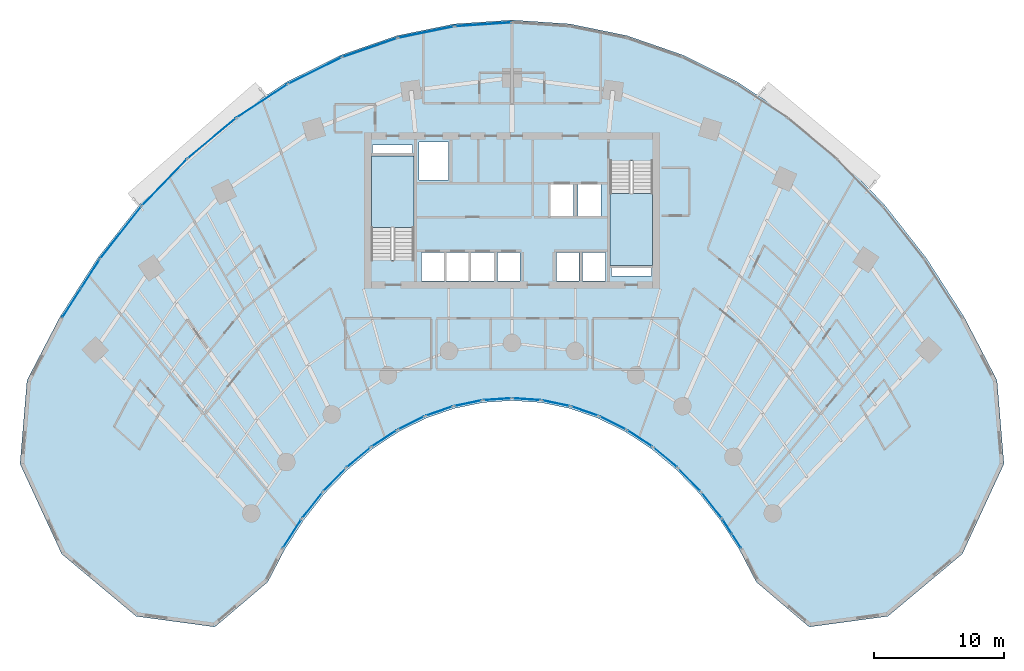
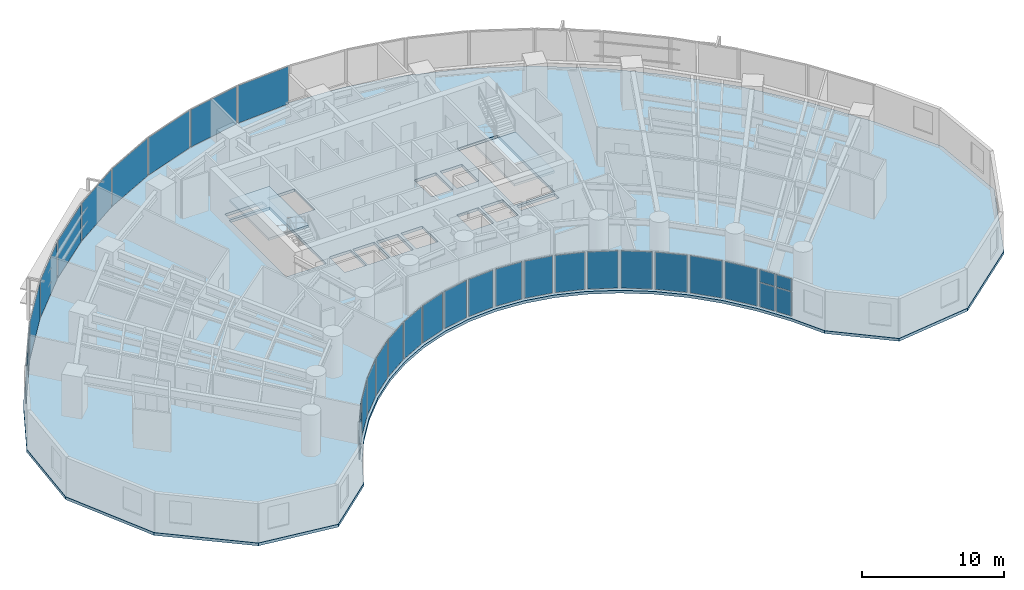
# One storey, part 9 of 17: 33 plates, 3 slabs, 29 elements without a shape of their own.
"""IFC4 building model written with IfcOpenShell, lengths in metres."""

from ifc_helpers import new_model, si_unit, direction, frame, origin, origin_2d, place, context, subcontext, project, spatial, polyline, rectangle, outline, extrude, source, transform, mapped, material, layer, layer_set, type_object, type_shapes, element, aggregate, save


model = new_model("IFC4")

# Units and contexts
model_context = context("Model", 3, precision=1e-05, world=origin(), true_north=direction((0.0, 1.0)))
body_context = subcontext(model_context, "Body", "Model", "MODEL_VIEW")
ifc_project = project(units=[si_unit("LENGTHUNIT", "METRE"), si_unit("AREAUNIT", "SQUARE_METRE"), si_unit("VOLUMEUNIT", "CUBIC_METRE"), si_unit("PLANEANGLEUNIT", "RADIAN"), si_unit("MASSUNIT", "GRAM", prefix="KILO")], contexts=[model_context])

# Site, building, storey
site_placement = place(None, origin())
site = spatial("IfcSite", under=ifc_project, at=site_placement, CompositionType="ELEMENT")
building_placement = place(site_placement, origin())
building = spatial("IfcBuilding", under=site, at=building_placement, Name="Breltana Convention Tower", CompositionType="ELEMENT")
storey_placement = place(building_placement, frame((0.0, 0.0, 53.39990234375)))
storey = spatial("IfcBuildingStorey", under=building, at=storey_placement, Name="L11", CompositionType="ELEMENT", Elevation=53.39990234375)

# Slab
ifc_material_1 = material(Name="Concrete C40/50", Category="concrete")
ifc_layer_1 = layer(ifc_material_1, 0.239990234375, Name="Concrete C40/50")
ifc_layer_set_1 = layer_set([ifc_layer_1], Name="Concrete C40/50")
slab_type_1 = type_object("IfcSlabType", Name="SL-HTL-240", PredefinedType="FLOOR", material=ifc_layer_set_1)
slab_1_placement = place(storey_placement, frame((0.0, 0.0, -0.239990234375)))
element("IfcSlab", 1, at=slab_1_placement, inside=storey, type_object=slab_type_1, Name="L11 Suspended Structural Floor Slab", PredefinedType="FLOOR", context=body_context, shape_type="SweptSolid", body=[
    extrude(outline(polyline([(85.229248046875, 53.173095703125), (82.687744140625, 58.054931640625), (79.791015625, 62.567626953125), (76.569091796875, 66.664794921875), (73.05419921875, 70.304931640625), (69.283203125, 73.450439453125), (65.2939453125, 76.069091796875), (61.1279296875, 78.134033203125), (56.827392578125, 79.62451171875), (52.436279296875, 80.52490234375), (48.0, 80.825927734375), (43.563720703125, 80.52490234375), (39.172607421875, 79.62451171875), (34.8720703125, 78.134033203125), (30.7060546875, 76.069091796875), (26.716796875, 73.450439453125), (22.94580078125, 70.304931640625), (19.430908203125, 66.664794921875), (16.208984375, 62.567626953125), (13.312255859375, 58.054931640625), (10.770751953125, 53.173095703125), (10.234619140625, 46.75927734375), (13.433837890625, 39.8388671875), (19.14697265625, 35.055419921875), (25.191162109375, 34.235595703125), (29.258056640625, 37.693115234375), (30.53759765625, 40.150634765625), (31.995849609375, 42.42236328125), (33.617919921875, 44.485107421875), (35.38720703125, 46.3173828125), (37.28564453125, 47.90087890625), (39.2939453125, 49.21923828125), (41.39111328125, 50.2587890625), (43.55615234375, 51.009033203125), (45.7666015625, 51.46240234375), (48.0, 51.614013671875), (50.2333984375, 51.46240234375), (52.44384765625, 51.009033203125), (54.60888671875, 50.2587890625), (56.7060546875, 49.21923828125), (58.71435546875, 47.90087890625), (60.61279296875, 46.3173828125), (62.382080078125, 44.485107421875), (64.004150390625, 42.42236328125), (65.46240234375, 40.150634765625), (66.741943359375, 37.693115234375), (70.808837890625, 34.235595703125), (76.85302734375, 35.055419921875), (82.566162109375, 39.8388671875), (85.765380859375, 46.75927734375), (85.229248046875, 53.173095703125)]), holes=[polyline([(37.199951171875, 62.385009765625), (40.469970703125, 62.385009765625), (40.469970703125, 70.39990234375), (37.199951171875, 70.39990234375), (37.199951171875, 62.385009765625)]), polyline([(55.530029296875, 62.0), (58.800048828125, 62.0), (58.800048828125, 70.014892578125), (55.530029296875, 70.014892578125), (55.530029296875, 62.0)]), polyline([(41.0400390625, 60.800048828125), (42.800048828125, 60.800048828125), (42.800048828125, 62.97998046875), (41.0400390625, 62.97998046875), (41.0400390625, 60.800048828125)]), polyline([(42.93994140625, 60.800048828125), (44.699951171875, 60.800048828125), (44.699951171875, 62.97998046875), (42.93994140625, 62.97998046875), (42.93994140625, 60.800048828125)]), polyline([(44.8701171875, 60.800048828125), (46.6298828125, 60.800048828125), (46.6298828125, 62.97998046875), (44.8701171875, 62.97998046875), (44.8701171875, 60.800048828125)]), polyline([(46.8701171875, 60.800048828125), (48.6298828125, 60.800048828125), (48.6298828125, 62.97998046875), (46.8701171875, 62.97998046875), (46.8701171875, 60.800048828125)]), polyline([(51.39990234375, 60.800048828125), (53.159912109375, 60.800048828125), (53.159912109375, 62.97998046875), (51.39990234375, 62.97998046875), (51.39990234375, 60.800048828125)]), polyline([(53.39990234375, 60.800048828125), (55.159912109375, 60.800048828125), (55.159912109375, 62.97998046875), (53.39990234375, 62.97998046875), (53.39990234375, 60.800048828125)]), polyline([(50.969970703125, 65.800048828125), (52.72998046875, 65.800048828125), (52.72998046875, 68.179931640625), (50.969970703125, 68.179931640625), (50.969970703125, 65.800048828125)]), polyline([(53.070068359375, 65.800048828125), (54.830078125, 65.800048828125), (54.830078125, 68.179931640625), (53.070068359375, 68.179931640625), (53.070068359375, 65.800048828125)]), polyline([(40.8798828125, 68.550048828125), (43.1201171875, 68.550048828125), (43.1201171875, 71.449951171875), (40.8798828125, 71.449951171875), (40.8798828125, 68.550048828125)]), polyline([(37.300048828125, 70.60009765625), (40.3798828125, 70.60009765625), (40.3798828125, 71.219970703125), (37.300048828125, 71.219970703125), (37.300048828125, 70.60009765625)]), polyline([(55.6201171875, 61.179931640625), (58.699951171875, 61.179931640625), (58.699951171875, 61.800048828125), (55.6201171875, 61.800048828125), (55.6201171875, 61.179931640625)])]), origin(), (0.0, 0.0, 1.0), 0.239990234375),
])

# Stair, slab
stair_type = type_object("IfcStairType", Name="ST-DOG-1560-R180", PredefinedType="HALF_TURN_STAIR", material=ifc_material_1)
stair_1_placement = place(storey_placement, origin())
stair_1 = element("IfcStair", 2, at=stair_1_placement, inside=storey, type_object=stair_type, Name="L11 Protected Core Exit Stair ST-1", PredefinedType="HALF_TURN_STAIR")
ifc_layer_2 = layer(ifc_material_1, 0.199951171875, Name="Concrete C40/50")
ifc_layer_set_2 = layer_set([ifc_layer_2], Name="Concrete C40/50")
slab_type_2 = type_object("IfcSlabType", Name="SL-STAIR-LANDING-200", PredefinedType="LANDING", material=ifc_layer_set_2)
slab_2_placement = place(storey_placement, frame((0.0, 0.0, 1.60009765625)))
slab_2 = element("IfcSlab", 3, at=slab_2_placement, type_object=slab_type_2, Name="ST-1 landing 1", PredefinedType="LANDING", context=body_context, shape_type="SweptSolid", body=[
    extrude(outline(polyline([(40.469970703125, 64.8798828125), (40.469970703125, 70.39990234375), (37.199951171875, 70.39990234375), (37.199951171875, 64.8798828125), (40.469970703125, 64.8798828125)])), origin(), (0.0, 0.0, 1.0), 0.199951171875),
])
aggregate(stair_1, [slab_2])

stair_2_placement = place(storey_placement, origin())
stair_2 = element("IfcStair", 4, at=stair_2_placement, inside=storey, type_object=stair_type, Name="L11 Protected Core Exit Stair ST-2", PredefinedType="HALF_TURN_STAIR")
slab_3_placement = place(storey_placement, frame((0.0, 0.0, 1.60009765625)))
slab_3 = element("IfcSlab", 5, at=slab_3_placement, type_object=slab_type_2, Name="ST-2 landing 1", PredefinedType="LANDING", context=body_context, shape_type="SweptSolid", body=[
    extrude(outline(polyline([(55.530029296875, 67.52001953125), (55.530029296875, 62.0), (58.800048828125, 62.0), (58.800048828125, 67.52001953125), (55.530029296875, 67.52001953125)])), origin(), (0.0, 0.0, 1.0), 0.199951171875),
])
aggregate(stair_2, [slab_3])

# Curtain wall, plates
ifc_material_2 = material(Name="Aluminium Anodised Bronze Frame", Category="aluminium")
ifc_layer_3 = layer(ifc_material_2, 0.18994140625, Name="Aluminium Anodised Bronze Frame")
ifc_layer_set_3 = layer_set([ifc_layer_3], Name="Aluminium Anodised Bronze Frame")
curtain_wall_type_1 = type_object("IfcCurtainWallType", Name="CW-SYS-1", PredefinedType="NOTDEFINED", material=ifc_layer_set_3)
curtain_wall_1_placement = place(storey_placement, origin())
curtain_wall_1 = element("IfcCurtainWall", 6, at=curtain_wall_1_placement, inside=storey, type_object=curtain_wall_type_1, Name="L11 inner south-court glazing 1", PredefinedType="NOTDEFINED")
ifc_material_3 = material(Name="Glass Low-E Double Glazing", Category="glass")
ifc_layer_4 = layer(ifc_material_3, 0.028076171875, Name="Glass Low-E Double Glazing")
ifc_layer_set_4 = layer_set([ifc_layer_4], Name="Glass Low-E Double Glazing")
plate_type_1 = type_object("IfcPlateType", Name="CWP-IGU-28", PredefinedType="CURTAIN_PANEL", material=ifc_layer_set_4)
shared_shape_1 = source(origin(), body_context, "Body", "SweptSolid", [
    extrude(rectangle(XDim=1.229736328125, YDim=0.028076171875, at=origin_2d()), origin(), (0.0, 0.0, 1.0), 2.06396484375),
])
plate_1_placement = place(storey_placement, frame((65.238525390625, 40.83251953125, 0.080078125), z_axis=(0.0, 0.0, 1.0), x_axis=(-0.540169576197, 0.841556194767, 0.0)))
plate_1 = element("IfcPlate", 7, at=plate_1_placement, type_object=plate_type_1, Name="CW-01 panel 1.1", PredefinedType="CURTAIN_PANEL", context=body_context, shape_type="MappedRepresentation", body=[
    mapped(shared_shape_1, transform((0.0, 0.0, 0.0), scale=1.0)),
])
plate_2_placement = place(storey_placement, frame((64.531005859375, 41.934814453125, 0.080078125), z_axis=(0.0, 0.0, 1.0), x_axis=(-0.540169576197, 0.841556194767, 0.0)))
plate_2 = element("IfcPlate", 8, at=plate_2_placement, type_object=plate_type_1, Name="CW-01 panel 2.1", PredefinedType="CURTAIN_PANEL", context=body_context, shape_type="MappedRepresentation", body=[
    mapped(shared_shape_1, transform((0.0, 0.0, 0.0), scale=1.0)),
])
shared_shape_2 = source(origin(), body_context, "Body", "SweptSolid", [
    extrude(rectangle(XDim=1.229736328125, YDim=0.028076171875, at=origin_2d()), origin(), (0.0, 0.0, 1.0), 1.055908203125),
])
plate_3_placement = place(storey_placement, frame((65.238525390625, 40.83251953125, 2.22412109375), z_axis=(0.0, 0.0, 1.0), x_axis=(-0.540169576197, 0.841556194767, 0.0)))
plate_3 = element("IfcPlate", 9, at=plate_3_placement, type_object=plate_type_1, Name="CW-01 panel 1.2", PredefinedType="CURTAIN_PANEL", context=body_context, shape_type="MappedRepresentation", body=[
    mapped(shared_shape_2, transform((0.0, 0.0, 0.0), scale=1.0)),
])
plate_4_placement = place(storey_placement, frame((64.531005859375, 41.934814453125, 2.22412109375), z_axis=(0.0, 0.0, 1.0), x_axis=(-0.540169576197, 0.841556194767, 0.0)))
plate_4 = element("IfcPlate", 10, at=plate_4_placement, type_object=plate_type_1, Name="CW-01 panel 2.2", PredefinedType="CURTAIN_PANEL", context=body_context, shape_type="MappedRepresentation", body=[
    mapped(shared_shape_2, transform((0.0, 0.0, 0.0), scale=1.0)),
])
aggregate(curtain_wall_1, [plate_1, plate_3, plate_2, plate_4])

# Curtain wall, plate
curtain_wall_2_placement = place(storey_placement, origin())
curtain_wall_2 = element("IfcCurtainWall", 11, at=curtain_wall_2_placement, inside=storey, type_object=curtain_wall_type_1, Name="L11 inner south-court glazing 2", PredefinedType="NOTDEFINED")
shared_shape_3 = source(origin(), body_context, "Body", "SweptSolid", [
    extrude(rectangle(XDim=2.464111328125, YDim=0.028076171875, at=origin_2d()), origin(), (0.0, 0.0, 1.0), 3.199951171875),
])
plate_5_placement = place(storey_placement, frame((63.334716796875, 43.56494140625, 0.080078125), z_axis=(0.0, 0.0, 1.0), x_axis=(-0.61815305034, 0.786057762734, 0.0)))
plate_5 = element("IfcPlate", 12, at=plate_5_placement, type_object=plate_type_1, Name="CW-01 panel 1.1", PredefinedType="CURTAIN_PANEL", context=body_context, shape_type="MappedRepresentation", body=[
    mapped(shared_shape_3, transform((0.0, 0.0, 0.0), scale=1.0)),
])
aggregate(curtain_wall_2, [plate_5])

curtain_wall_3_placement = place(storey_placement, origin())
curtain_wall_3 = element("IfcCurtainWall", 13, at=curtain_wall_3_placement, inside=storey, type_object=curtain_wall_type_1, Name="L11 inner south-court glazing 17", PredefinedType="NOTDEFINED")
plate_6_placement = place(storey_placement, frame((32.665283203125, 43.56494140625, 0.080078125), z_axis=(0.0, 0.0, 1.0), x_axis=(-0.61815305034, -0.786057762734, 0.0)))
plate_6 = element("IfcPlate", 14, at=plate_6_placement, type_object=plate_type_1, Name="CW-01 panel 1.1", PredefinedType="CURTAIN_PANEL", context=body_context, shape_type="MappedRepresentation", body=[
    mapped(shared_shape_3, transform((0.0, 0.0, 0.0), scale=1.0)),
])
aggregate(curtain_wall_3, [plate_6])

curtain_wall_4_placement = place(storey_placement, origin())
curtain_wall_4 = element("IfcCurtainWall", 15, at=curtain_wall_4_placement, inside=storey, type_object=curtain_wall_type_1, Name="L11 inner south-court glazing 3", PredefinedType="NOTDEFINED")
shared_shape_4 = source(origin(), body_context, "Body", "SweptSolid", [
    extrude(rectangle(XDim=2.38720703125, YDim=0.028076171875, at=origin_2d()), origin(), (0.0, 0.0, 1.0), 3.199951171875),
])
plate_7_placement = place(storey_placement, frame((61.626953125, 45.5263671875, 0.080078125), z_axis=(0.0, 0.0, 1.0), x_axis=(-0.694612029111, 0.719384548773, 0.0)))
plate_7 = element("IfcPlate", 16, at=plate_7_placement, type_object=plate_type_1, Name="CW-01 panel 1.1", PredefinedType="CURTAIN_PANEL", context=body_context, shape_type="MappedRepresentation", body=[
    mapped(shared_shape_4, transform((0.0, 0.0, 0.0), scale=1.0)),
])
aggregate(curtain_wall_4, [plate_7])

curtain_wall_5_placement = place(storey_placement, origin())
curtain_wall_5 = element("IfcCurtainWall", 17, at=curtain_wall_5_placement, inside=storey, type_object=curtain_wall_type_1, Name="L11 inner south-court glazing 16", PredefinedType="NOTDEFINED")
plate_8_placement = place(storey_placement, frame((34.373046875, 45.5263671875, 0.080078125), z_axis=(0.0, 0.0, 1.0), x_axis=(-0.694612029111, -0.719384548773, 0.0)))
plate_8 = element("IfcPlate", 18, at=plate_8_placement, type_object=plate_type_1, Name="CW-01 panel 1.1", PredefinedType="CURTAIN_PANEL", context=body_context, shape_type="MappedRepresentation", body=[
    mapped(shared_shape_4, transform((0.0, 0.0, 0.0), scale=1.0)),
])
aggregate(curtain_wall_5, [plate_8])

curtain_wall_6_placement = place(storey_placement, origin())
curtain_wall_6 = element("IfcCurtainWall", 19, at=curtain_wall_6_placement, inside=storey, type_object=curtain_wall_type_1, Name="L11 inner south-court glazing 4", PredefinedType="NOTDEFINED")
shared_shape_5 = source(origin(), body_context, "Body", "SweptSolid", [
    extrude(rectangle(XDim=2.312255859375, YDim=0.028076171875, at=origin_2d()), origin(), (0.0, 0.0, 1.0), 3.199951171875),
])
plate_9_placement = place(storey_placement, frame((59.77880859375, 47.24755859375, 0.080078125), z_axis=(0.0, 0.0, 1.0), x_axis=(-0.767939382804, 0.640522524458, 0.0)))
plate_9 = element("IfcPlate", 20, at=plate_9_placement, type_object=plate_type_1, Name="CW-01 panel 1.1", PredefinedType="CURTAIN_PANEL", context=body_context, shape_type="MappedRepresentation", body=[
    mapped(shared_shape_5, transform((0.0, 0.0, 0.0), scale=1.0)),
])
aggregate(curtain_wall_6, [plate_9])

curtain_wall_7_placement = place(storey_placement, origin())
curtain_wall_7 = element("IfcCurtainWall", 21, at=curtain_wall_7_placement, inside=storey, type_object=curtain_wall_type_1, Name="L11 inner south-court glazing 15", PredefinedType="NOTDEFINED")
plate_10_placement = place(storey_placement, frame((36.22119140625, 47.24755859375, 0.080078125), z_axis=(0.0, 0.0, 1.0), x_axis=(-0.767939382804, -0.640522524458, 0.0)))
plate_10 = element("IfcPlate", 22, at=plate_10_placement, type_object=plate_type_1, Name="CW-01 panel 1.1", PredefinedType="CURTAIN_PANEL", context=body_context, shape_type="MappedRepresentation", body=[
    mapped(shared_shape_5, transform((0.0, 0.0, 0.0), scale=1.0)),
])
aggregate(curtain_wall_7, [plate_10])

curtain_wall_8_placement = place(storey_placement, origin())
curtain_wall_8 = element("IfcCurtainWall", 23, at=curtain_wall_8_placement, inside=storey, type_object=curtain_wall_type_1, Name="L11 inner south-court glazing 5", PredefinedType="NOTDEFINED")
shared_shape_6 = source(origin(), body_context, "Body", "SweptSolid", [
    extrude(rectangle(XDim=2.2421875, YDim=0.028076171875, at=origin_2d()), origin(), (0.0, 0.0, 1.0), 3.199951171875),
])
plate_11_placement = place(storey_placement, frame((57.80908203125, 48.710693359375, 0.080078125), z_axis=(0.0, 0.0, 1.0), x_axis=(-0.835967942634, 0.548778278441, 0.0)))
plate_11 = element("IfcPlate", 24, at=plate_11_placement, type_object=plate_type_1, Name="CW-01 panel 1.1", PredefinedType="CURTAIN_PANEL", context=body_context, shape_type="MappedRepresentation", body=[
    mapped(shared_shape_6, transform((0.0, 0.0, 0.0), scale=1.0)),
])
aggregate(curtain_wall_8, [plate_11])

curtain_wall_9_placement = place(storey_placement, origin())
curtain_wall_9 = element("IfcCurtainWall", 25, at=curtain_wall_9_placement, inside=storey, type_object=curtain_wall_type_1, Name="L11 inner south-court glazing 14", PredefinedType="NOTDEFINED")
plate_12_placement = place(storey_placement, frame((38.19091796875, 48.710693359375, 0.080078125), z_axis=(0.0, 0.0, 1.0), x_axis=(-0.835967942634, -0.548778278441, 0.0)))
plate_12 = element("IfcPlate", 26, at=plate_12_placement, type_object=plate_type_1, Name="CW-01 panel 1.1", PredefinedType="CURTAIN_PANEL", context=body_context, shape_type="MappedRepresentation", body=[
    mapped(shared_shape_6, transform((0.0, 0.0, 0.0), scale=1.0)),
])
aggregate(curtain_wall_9, [plate_12])

curtain_wall_10_placement = place(storey_placement, origin())
curtain_wall_10 = element("IfcCurtainWall", 27, at=curtain_wall_10_placement, inside=storey, type_object=curtain_wall_type_1, Name="L11 inner south-court glazing 6", PredefinedType="NOTDEFINED")
shared_shape_7 = source(origin(), body_context, "Body", "SweptSolid", [
    extrude(rectangle(XDim=2.180908203125, YDim=0.028076171875, at=origin_2d()), origin(), (0.0, 0.0, 1.0), 3.199951171875),
])
plate_13_placement = place(storey_placement, frame((55.7373046875, 49.900390625, 0.080078125), z_axis=(0.0, 0.0, 1.0), x_axis=(-0.895968310315, 0.444117987602, 0.0)))
plate_13 = element("IfcPlate", 28, at=plate_13_placement, type_object=plate_type_1, Name="CW-01 panel 1.1", PredefinedType="CURTAIN_PANEL", context=body_context, shape_type="MappedRepresentation", body=[
    mapped(shared_shape_7, transform((0.0, 0.0, 0.0), scale=1.0)),
])
aggregate(curtain_wall_10, [plate_13])

curtain_wall_11_placement = place(storey_placement, origin())
curtain_wall_11 = element("IfcCurtainWall", 29, at=curtain_wall_11_placement, inside=storey, type_object=curtain_wall_type_1, Name="L11 inner south-court glazing 13", PredefinedType="NOTDEFINED")
plate_14_placement = place(storey_placement, frame((40.2626953125, 49.900390625, 0.080078125), z_axis=(0.0, 0.0, 1.0), x_axis=(-0.895968310315, -0.444117987602, 0.0)))
plate_14 = element("IfcPlate", 30, at=plate_14_placement, type_object=plate_type_1, Name="CW-01 panel 1.1", PredefinedType="CURTAIN_PANEL", context=body_context, shape_type="MappedRepresentation", body=[
    mapped(shared_shape_7, transform((0.0, 0.0, 0.0), scale=1.0)),
])
aggregate(curtain_wall_11, [plate_14])

curtain_wall_12_placement = place(storey_placement, origin())
curtain_wall_12 = element("IfcCurtainWall", 31, at=curtain_wall_12_placement, inside=storey, type_object=curtain_wall_type_1, Name="L11 inner south-court glazing 7", PredefinedType="NOTDEFINED")
shared_shape_8 = source(origin(), body_context, "Body", "SweptSolid", [
    extrude(rectangle(XDim=2.13134765625, YDim=0.028076171875, at=origin_2d()), origin(), (0.0, 0.0, 1.0), 3.199951171875),
])
plate_15_placement = place(storey_placement, frame((53.585205078125, 50.80419921875, 0.080078125), z_axis=(0.0, 0.0, 1.0), x_axis=(-0.944881211406, 0.327413341714, 0.0)))
plate_15 = element("IfcPlate", 32, at=plate_15_placement, type_object=plate_type_1, Name="CW-01 panel 1.1", PredefinedType="CURTAIN_PANEL", context=body_context, shape_type="MappedRepresentation", body=[
    mapped(shared_shape_8, transform((0.0, 0.0, 0.0), scale=1.0)),
])
aggregate(curtain_wall_12, [plate_15])

curtain_wall_13_placement = place(storey_placement, origin())
curtain_wall_13 = element("IfcCurtainWall", 33, at=curtain_wall_13_placement, inside=storey, type_object=curtain_wall_type_1, Name="L11 inner south-court glazing 12", PredefinedType="NOTDEFINED")
plate_16_placement = place(storey_placement, frame((42.414794921875, 50.80419921875, 0.080078125), z_axis=(0.0, 0.0, 1.0), x_axis=(-0.944881211406, -0.327413341714, 0.0)))
plate_16 = element("IfcPlate", 34, at=plate_16_placement, type_object=plate_type_1, Name="CW-01 panel 1.1", PredefinedType="CURTAIN_PANEL", context=body_context, shape_type="MappedRepresentation", body=[
    mapped(shared_shape_8, transform((0.0, 0.0, 0.0), scale=1.0)),
])
aggregate(curtain_wall_13, [plate_16])

curtain_wall_14_placement = place(storey_placement, origin())
curtain_wall_14 = element("IfcCurtainWall", 35, at=curtain_wall_14_placement, inside=storey, type_object=curtain_wall_type_1, Name="L11 inner south-court glazing 8", PredefinedType="NOTDEFINED")
shared_shape_9 = source(origin(), body_context, "Body", "SweptSolid", [
    extrude(rectangle(XDim=2.096435546875, YDim=0.028076171875, at=origin_2d()), origin(), (0.0, 0.0, 1.0), 3.199951171875),
])
plate_17_placement = place(storey_placement, frame((51.374755859375, 51.412109375, 0.080078125), z_axis=(0.0, 0.0, 1.0), x_axis=(-0.97961455393, 0.200886350278, 0.0)))
plate_17 = element("IfcPlate", 36, at=plate_17_placement, type_object=plate_type_1, Name="CW-01 panel 1.1", PredefinedType="CURTAIN_PANEL", context=body_context, shape_type="MappedRepresentation", body=[
    mapped(shared_shape_9, transform((0.0, 0.0, 0.0), scale=1.0)),
])
aggregate(curtain_wall_14, [plate_17])

curtain_wall_15_placement = place(storey_placement, origin())
curtain_wall_15 = element("IfcCurtainWall", 37, at=curtain_wall_15_placement, inside=storey, type_object=curtain_wall_type_1, Name="L11 inner south-court glazing 11", PredefinedType="NOTDEFINED")
plate_18_placement = place(storey_placement, frame((44.625244140625, 51.412109375, 0.080078125), z_axis=(0.0, 0.0, 1.0), x_axis=(-0.97961455393, -0.200886350278, 0.0)))
plate_18 = element("IfcPlate", 38, at=plate_18_placement, type_object=plate_type_1, Name="CW-01 panel 1.1", PredefinedType="CURTAIN_PANEL", context=body_context, shape_type="MappedRepresentation", body=[
    mapped(shared_shape_9, transform((0.0, 0.0, 0.0), scale=1.0)),
])
aggregate(curtain_wall_15, [plate_18])

curtain_wall_16_placement = place(storey_placement, origin())
curtain_wall_16 = element("IfcCurtainWall", 39, at=curtain_wall_16_placement, inside=storey, type_object=curtain_wall_type_1, Name="L11 inner south-court glazing 9", PredefinedType="NOTDEFINED")
shared_shape_10 = source(origin(), body_context, "Body", "SweptSolid", [
    extrude(rectangle(XDim=2.078369140625, YDim=0.028076171875, at=origin_2d()), origin(), (0.0, 0.0, 1.0), 3.199951171875),
])
plate_19_placement = place(storey_placement, frame((49.12890625, 51.7177734375, 0.080078125), z_axis=(0.0, 0.0, 1.0), x_axis=(-0.997703975371, 0.067725752326, 0.0)))
plate_19 = element("IfcPlate", 40, at=plate_19_placement, type_object=plate_type_1, Name="CW-01 panel 1.1", PredefinedType="CURTAIN_PANEL", context=body_context, shape_type="MappedRepresentation", body=[
    mapped(shared_shape_10, transform((0.0, 0.0, 0.0), scale=1.0)),
])
aggregate(curtain_wall_16, [plate_19])

curtain_wall_17_placement = place(storey_placement, origin())
curtain_wall_17 = element("IfcCurtainWall", 41, at=curtain_wall_17_placement, inside=storey, type_object=curtain_wall_type_1, Name="L11 inner south-court glazing 10", PredefinedType="NOTDEFINED")
plate_20_placement = place(storey_placement, frame((46.87109375, 51.7177734375, 0.080078125), z_axis=(0.0, 0.0, 1.0), x_axis=(-0.997703975371, -0.067725752326, 0.0)))
plate_20 = element("IfcPlate", 42, at=plate_20_placement, type_object=plate_type_1, Name="CW-01 panel 1.1", PredefinedType="CURTAIN_PANEL", context=body_context, shape_type="MappedRepresentation", body=[
    mapped(shared_shape_10, transform((0.0, 0.0, 0.0), scale=1.0)),
])
aggregate(curtain_wall_17, [plate_20])

curtain_wall_18_placement = place(storey_placement, origin())
curtain_wall_18 = element("IfcCurtainWall", 43, at=curtain_wall_18_placement, inside=storey, type_object=curtain_wall_type_1, Name="L11 inner south-court glazing 18", PredefinedType="NOTDEFINED")
shared_shape_11 = source(origin(), body_context, "Body", "SweptSolid", [
    extrude(rectangle(XDim=2.53955078125, YDim=0.028076171875, at=origin_2d()), origin(), (0.0, 0.0, 1.0), 3.199951171875),
])
plate_21_placement = place(storey_placement, frame((31.115234375, 41.3837890625, 0.080078125), z_axis=(0.0, 0.0, 1.0), x_axis=(-0.540169576197, -0.841556194767, 0.0)))
plate_21 = element("IfcPlate", 44, at=plate_21_placement, type_object=plate_type_1, Name="CW-01 panel 1.1", PredefinedType="CURTAIN_PANEL", context=body_context, shape_type="MappedRepresentation", body=[
    mapped(shared_shape_11, transform((0.0, 0.0, 0.0), scale=1.0)),
])
aggregate(curtain_wall_18, [plate_21])

# Curtain wall, plates
ifc_layer_5 = layer(ifc_material_2, 0.199951171875, Name="Aluminium Anodised Bronze Frame")
ifc_layer_set_5 = layer_set([ifc_layer_5], Name="Aluminium Anodised Bronze Frame")
curtain_wall_type_2 = type_object("IfcCurtainWallType", Name="CW-SYS-2", PredefinedType="NOTDEFINED", material=ifc_layer_set_5)
curtain_wall_19_placement = place(storey_placement, origin())
curtain_wall_19 = element("IfcCurtainWall", 45, at=curtain_wall_19_placement, inside=storey, type_object=curtain_wall_type_2, Name="L11 outer double-skin inner glazing 1", PredefinedType="NOTDEFINED")
ifc_layer_6 = layer(ifc_material_3, 0.031982421875, Name="Glass Low-E Double Glazing")
ifc_layer_set_6 = layer_set([ifc_layer_6], Name="Glass Low-E Double Glazing")
plate_type_2 = type_object("IfcPlateType", Name="CWP-IGU-32", PredefinedType="CURTAIN_PANEL", material=ifc_layer_set_6)
shared_shape_12 = source(origin(), body_context, "Body", "SweptSolid", [
    extrude(rectangle(XDim=2.56787109375, YDim=0.031982421875, at=origin_2d()), origin(), (0.0, 0.0, 1.0), 2.0791015625),
])
type_shapes(plate_type_2, [shared_shape_12])
plate_22_placement = place(storey_placement, frame((14.199462890625, 59.103759765625, 0.070068359375), z_axis=(0.0, 0.0, 1.0), x_axis=(0.540180724109, 0.841549039154, 0.0)))
plate_22 = element("IfcPlate", 46, at=plate_22_placement, type_object=plate_type_2, Name="CW-02 panel 1.1", PredefinedType="CURTAIN_PANEL", context=body_context, shape_type="MappedRepresentation", body=[
    mapped(shared_shape_12, transform((0.0, 0.0, 0.0), scale=1.0)),
])
plate_23_placement = place(storey_placement, frame((15.624267578125, 61.32373046875, 0.070068359375), z_axis=(0.0, 0.0, 1.0), x_axis=(0.540180724109, 0.841549039154, 0.0)))
plate_23 = element("IfcPlate", 47, at=plate_23_placement, type_object=plate_type_2, Name="CW-02 panel 2.1", PredefinedType="CURTAIN_PANEL", context=body_context, shape_type="MappedRepresentation", body=[
    mapped(shared_shape_12, transform((0.0, 0.0, 0.0), scale=1.0)),
])
shared_shape_13 = source(origin(), body_context, "Body", "SweptSolid", [
    extrude(rectangle(XDim=2.56787109375, YDim=0.031982421875, at=origin_2d()), origin(), (0.0, 0.0, 1.0), 1.071044921875),
])
plate_24_placement = place(storey_placement, frame((14.199462890625, 59.103759765625, 2.21923828125), z_axis=(0.0, 0.0, 1.0), x_axis=(0.540180724109, 0.841549039154, 0.0)))
plate_24 = element("IfcPlate", 48, at=plate_24_placement, type_object=plate_type_2, Name="CW-02 panel 1.2", PredefinedType="CURTAIN_PANEL", context=body_context, shape_type="MappedRepresentation", body=[
    mapped(shared_shape_13, transform((0.0, 0.0, 0.0), scale=1.0)),
])
plate_25_placement = place(storey_placement, frame((15.624267578125, 61.32373046875, 2.21923828125), z_axis=(0.0, 0.0, 1.0), x_axis=(0.540180724109, 0.841549039154, 0.0)))
plate_25 = element("IfcPlate", 49, at=plate_25_placement, type_object=plate_type_2, Name="CW-02 panel 2.2", PredefinedType="CURTAIN_PANEL", context=body_context, shape_type="MappedRepresentation", body=[
    mapped(shared_shape_13, transform((0.0, 0.0, 0.0), scale=1.0)),
])
aggregate(curtain_wall_19, [plate_22, plate_24, plate_23, plate_25])

# Curtain wall, plate
curtain_wall_20_placement = place(storey_placement, origin())
curtain_wall_20 = element("IfcCurtainWall", 50, at=curtain_wall_20_placement, inside=storey, type_object=curtain_wall_type_2, Name="L11 outer double-skin inner glazing 2", PredefinedType="NOTDEFINED")
shared_shape_14 = source(origin(), body_context, "Body", "SweptSolid", [
    extrude(rectangle(XDim=5.0546875, YDim=0.031982421875, at=origin_2d()), origin(), (0.0, 0.0, 1.0), 3.219970703125),
])
plate_26_placement = place(storey_placement, frame((17.961181640625, 64.504638671875, 0.0703125), z_axis=(0.0, 0.0, 1.0), x_axis=(0.618153917633, 0.786057080698, 0.0)))
plate_26 = element("IfcPlate", 51, at=plate_26_placement, type_object=plate_type_2, Name="CW-02 panel 1.1", PredefinedType="CURTAIN_PANEL", context=body_context, shape_type="MappedRepresentation", body=[
    mapped(shared_shape_14, transform((0.0, 0.0, 0.0), scale=1.0)),
])
aggregate(curtain_wall_20, [plate_26])

curtain_wall_21_placement = place(storey_placement, origin())
curtain_wall_21 = element("IfcCurtainWall", 52, at=curtain_wall_21_placement, inside=storey, type_object=curtain_wall_type_2, Name="L11 outer double-skin inner glazing 3", PredefinedType="NOTDEFINED")
shared_shape_15 = source(origin(), body_context, "Body", "SweptSolid", [
    extrude(rectangle(XDim=4.901123046875, YDim=0.031982421875, at=origin_2d()), origin(), (0.0, 0.0, 1.0), 3.219970703125),
])
plate_27_placement = place(storey_placement, frame((21.317626953125, 68.359619140625, 0.0703125), z_axis=(0.0, 0.0, 1.0), x_axis=(0.694610090106, 0.719386421003, 0.0)))
plate_27 = element("IfcPlate", 53, at=plate_27_placement, type_object=plate_type_2, Name="CW-02 panel 1.1", PredefinedType="CURTAIN_PANEL", context=body_context, shape_type="MappedRepresentation", body=[
    mapped(shared_shape_15, transform((0.0, 0.0, 0.0), scale=1.0)),
])
aggregate(curtain_wall_21, [plate_27])

curtain_wall_22_placement = place(storey_placement, origin())
curtain_wall_22 = element("IfcCurtainWall", 54, at=curtain_wall_22_placement, inside=storey, type_object=curtain_wall_type_2, Name="L11 outer double-skin inner glazing 4", PredefinedType="NOTDEFINED")
shared_shape_16 = source(origin(), body_context, "Body", "SweptSolid", [
    extrude(rectangle(XDim=4.7509765625, YDim=0.031982421875, at=origin_2d()), origin(), (0.0, 0.0, 1.0), 3.219970703125),
])
plate_28_placement = place(storey_placement, frame((24.9462890625, 71.7392578125, 0.0703125), z_axis=(0.0, 0.0, 1.0), x_axis=(0.767941326958, 0.640520193554, 0.0)))
plate_28 = element("IfcPlate", 55, at=plate_28_placement, type_object=plate_type_2, Name="CW-02 panel 1.1", PredefinedType="CURTAIN_PANEL", context=body_context, shape_type="MappedRepresentation", body=[
    mapped(shared_shape_16, transform((0.0, 0.0, 0.0), scale=1.0)),
])
aggregate(curtain_wall_22, [plate_28])

curtain_wall_23_placement = place(storey_placement, origin())
curtain_wall_23 = element("IfcCurtainWall", 56, at=curtain_wall_23_placement, inside=storey, type_object=curtain_wall_type_2, Name="L11 outer double-skin inner glazing 5", PredefinedType="NOTDEFINED")
shared_shape_17 = source(origin(), body_context, "Body", "SweptSolid", [
    extrude(rectangle(XDim=4.610595703125, YDim=0.031982421875, at=origin_2d()), origin(), (0.0, 0.0, 1.0), 3.219970703125),
])
plate_29_placement = place(storey_placement, frame((28.81005859375, 74.609130859375, 0.0703125), z_axis=(0.0, 0.0, 1.0), x_axis=(0.83596401875, 0.548784255746, 0.0)))
plate_29 = element("IfcPlate", 57, at=plate_29_placement, type_object=plate_type_2, Name="CW-02 panel 1.1", PredefinedType="CURTAIN_PANEL", context=body_context, shape_type="MappedRepresentation", body=[
    mapped(shared_shape_17, transform((0.0, 0.0, 0.0), scale=1.0)),
])
aggregate(curtain_wall_23, [plate_29])

curtain_wall_24_placement = place(storey_placement, origin())
curtain_wall_24 = element("IfcCurtainWall", 58, at=curtain_wall_24_placement, inside=storey, type_object=curtain_wall_type_2, Name="L11 outer double-skin inner glazing 6", PredefinedType="NOTDEFINED")
shared_shape_18 = source(origin(), body_context, "Body", "SweptSolid", [
    extrude(rectangle(XDim=4.487548828125, YDim=0.031982421875, at=origin_2d()), origin(), (0.0, 0.0, 1.0), 3.219970703125),
])
plate_30_placement = place(storey_placement, frame((32.86865234375, 76.940185546875, 0.0703125), z_axis=(0.0, 0.0, 1.0), x_axis=(0.895973407804, 0.444107703726, 0.0)))
plate_30 = element("IfcPlate", 59, at=plate_30_placement, type_object=plate_type_2, Name="CW-02 panel 1.1", PredefinedType="CURTAIN_PANEL", context=body_context, shape_type="MappedRepresentation", body=[
    mapped(shared_shape_18, transform((0.0, 0.0, 0.0), scale=1.0)),
])
aggregate(curtain_wall_24, [plate_30])

curtain_wall_25_placement = place(storey_placement, origin())
curtain_wall_25 = element("IfcCurtainWall", 60, at=curtain_wall_25_placement, inside=storey, type_object=curtain_wall_type_2, Name="L11 outer double-skin inner glazing 7", PredefinedType="NOTDEFINED")
shared_shape_19 = source(origin(), body_context, "Body", "SweptSolid", [
    extrude(rectangle(XDim=4.388427734375, YDim=0.031982421875, at=origin_2d()), origin(), (0.0, 0.0, 1.0), 3.219970703125),
])
plate_31_placement = place(storey_placement, frame((37.0810546875, 78.709228515625, 0.0703125), z_axis=(0.0, 0.0, 1.0), x_axis=(0.944876012163, 0.32742834581, 0.0)))
plate_31 = element("IfcPlate", 61, at=plate_31_placement, type_object=plate_type_2, Name="CW-02 panel 1.1", PredefinedType="CURTAIN_PANEL", context=body_context, shape_type="MappedRepresentation", body=[
    mapped(shared_shape_19, transform((0.0, 0.0, 0.0), scale=1.0)),
])
aggregate(curtain_wall_25, [plate_31])

curtain_wall_26_placement = place(storey_placement, origin())
curtain_wall_26 = element("IfcCurtainWall", 62, at=curtain_wall_26_placement, inside=storey, type_object=curtain_wall_type_2, Name="L11 outer double-skin inner glazing 8", PredefinedType="NOTDEFINED")
shared_shape_20 = source(origin(), body_context, "Body", "SweptSolid", [
    extrude(rectangle(XDim=4.318359375, YDim=0.031982421875, at=origin_2d()), origin(), (0.0, 0.0, 1.0), 3.219970703125),
])
plate_32_placement = place(storey_placement, frame((41.404296875, 79.898193359375, 0.0703125), z_axis=(0.0, 0.0, 1.0), x_axis=(0.979614925743, 0.200884537139, 0.0)))
plate_32 = element("IfcPlate", 63, at=plate_32_placement, type_object=plate_type_2, Name="CW-02 panel 1.1", PredefinedType="CURTAIN_PANEL", context=body_context, shape_type="MappedRepresentation", body=[
    mapped(shared_shape_20, transform((0.0, 0.0, 0.0), scale=1.0)),
])
aggregate(curtain_wall_26, [plate_32])

curtain_wall_27_placement = place(storey_placement, origin())
curtain_wall_27 = element("IfcCurtainWall", 64, at=curtain_wall_27_placement, inside=storey, type_object=curtain_wall_type_2, Name="L11 outer double-skin inner glazing 9", PredefinedType="NOTDEFINED")
shared_shape_21 = source(origin(), body_context, "Body", "SweptSolid", [
    extrude(rectangle(XDim=4.2822265625, YDim=0.031982421875, at=origin_2d()), origin(), (0.0, 0.0, 1.0), 3.219970703125),
])
plate_33_placement = place(storey_placement, frame((45.7939453125, 80.495849609375, 0.0703125), z_axis=(0.0, 0.0, 1.0), x_axis=(0.997703982282, 0.067725650529, 0.0)))
plate_33 = element("IfcPlate", 65, at=plate_33_placement, type_object=plate_type_2, Name="CW-02 panel 1.1", PredefinedType="CURTAIN_PANEL", context=body_context, shape_type="MappedRepresentation", body=[
    mapped(shared_shape_21, transform((0.0, 0.0, 0.0), scale=1.0)),
])
aggregate(curtain_wall_27, [plate_33])

save(model, "model.ifc")
